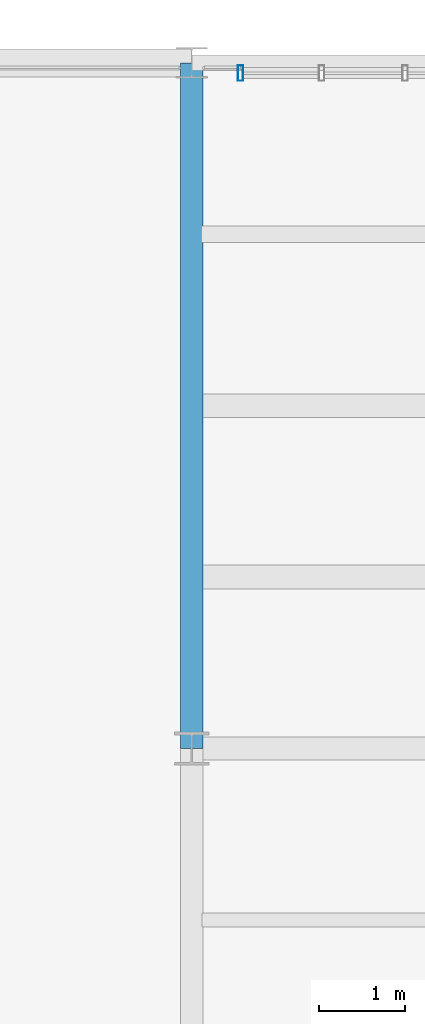
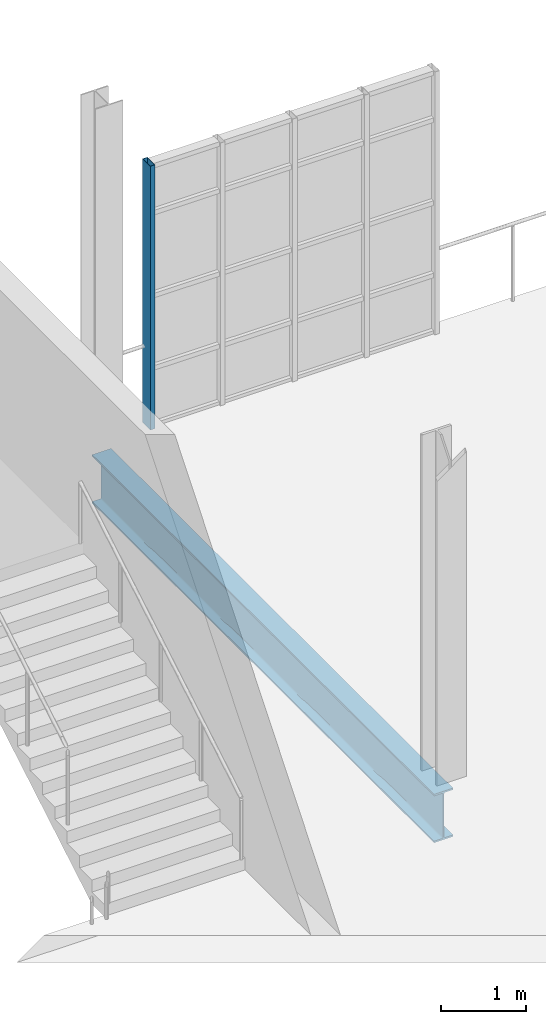
# One storey, part 63 of 118: 1 beam, 1 member, 1 element without a shape of its own.
"""IFC4 building model written with IfcOpenShell, lengths in metres."""

from ifc_helpers import new_model, si_unit, direction, frame, origin, origin_2d, place, context, subcontext, project, spatial, hollow_rectangle, i_section, extrude, material, layer, layer_set, material_profile, profile_set, type_object, element, aggregate, save


model = new_model("IFC4")

# Units and contexts
model_context = context("Model", 3, precision=1e-05, world=origin(), true_north=direction((0.0, 1.0)))
body_context = subcontext(model_context, "Body", "Model", "MODEL_VIEW")
ifc_project = project(units=[si_unit("LENGTHUNIT", "METRE"), si_unit("AREAUNIT", "SQUARE_METRE"), si_unit("VOLUMEUNIT", "CUBIC_METRE"), si_unit("PLANEANGLEUNIT", "RADIAN"), si_unit("MASSUNIT", "GRAM", prefix="KILO"), si_unit("THERMODYNAMICTEMPERATUREUNIT", "KELVIN"), si_unit("POWERUNIT", "WATT")], contexts=[model_context])

# Site, building, storey
site_placement = place(None, origin())
site = spatial("IfcSite", under=ifc_project, at=site_placement, CompositionType="ELEMENT")
building_placement = place(site_placement, origin())
building = spatial("IfcBuilding", under=site, at=building_placement, Name="Zelmaris Science Centre", CompositionType="ELEMENT")
storey_placement = place(building_placement, frame((0.0, 0.0, 15.60009765625)))
storey = spatial("IfcBuildingStorey", under=building, at=storey_placement, Name="L03", CompositionType="ELEMENT", Elevation=15.60009765625)

# Curtain wall, member
ifc_material_1 = material(Name="Anodised architectural aluminium 6063-T6", Category="aluminium")
ifc_layer = layer(ifc_material_1, 0.2099609375, Name="Anodised architectural aluminium 6063-T6")
ifc_layer_set = layer_set([ifc_layer], Name="Anodised architectural aluminium 6063-T6")
curtain_wall_type = type_object("IfcCurtainWallType", Name="Curtain Wall CW-03", PredefinedType="USERDEFINED", material=ifc_layer_set)
curtain_wall_placement = place(storey_placement, origin())
curtain_wall = element("IfcCurtainWall", 1, at=curtain_wall_placement, inside=storey, type_object=curtain_wall_type, Name="L03 Unitised curtain wall 283", ObjectType="GLAZED CURTAIN WALL", PredefinedType="USERDEFINED")
ifc_material_profile_1 = material_profile(ifc_material_1, hollow_rectangle(XDim=0.06494140625, YDim=0.179931640625, WallThickness=0.00390625, at=origin_2d()), Name="ALU-MUL-65X180")
ifc_profile_set_1 = profile_set([ifc_material_profile_1], Name="Anodised architectural aluminium 6063-T6")
member_type = type_object("IfcMemberType", Name="ALU-MUL-65X180", PredefinedType="MULLION", material=ifc_profile_set_1)
member_placement = place(storey_placement, frame((72.568603515625, 87.8798828125, -0.01513671875), z_axis=(0.0, 0.0, 1.0), x_axis=(1.0, 0.0, 0.0)))
member = element("IfcMember", 2, at=member_placement, type_object=member_type, Name="CW-03 mullion 1", PredefinedType="MULLION", context=body_context, shape_type="SweptSolid", body=[
    extrude(hollow_rectangle(XDim=0.06494140625, YDim=0.179931640625, WallThickness=0.00390625, at=origin_2d()), origin(), (0.0, 0.0, 1.0), 3.76806640625),
])
aggregate(curtain_wall, [member])

# Beam
ifc_material_2 = material(Name="Steel ASTM A992 Grade 50", Category="steel")
ifc_material_profile_2 = material_profile(ifc_material_2, i_section(OverallWidth=0.257080078125, OverallDepth=0.693115234375, WebThickness=0.014404296875, FlangeThickness=0.023681640625, FilletRadius=0.01806640625, at=origin_2d()), Name="W27X114")
ifc_profile_set_2 = profile_set([ifc_material_profile_2], Name="Steel ASTM A992 Grade 50")
beam_type = type_object("IfcBeamType", Name="Beam G-12 W27X114", PredefinedType="BEAM", material=ifc_profile_set_2)
beam_placement = place(storey_placement, frame((72.0, 80.0, -0.606689453125), z_axis=(0.0, 1.0, 0.0), x_axis=(-1.0, 0.0, 0.0)))
element("IfcBeam", 3, at=beam_placement, inside=storey, type_object=beam_type, Name="L03 North-south girder 688", PredefinedType="BEAM", context=body_context, shape_type="SweptSolid", body=[
    extrude(i_section(OverallWidth=0.257080078125, OverallDepth=0.693115234375, WebThickness=0.014404296875, FlangeThickness=0.023681640625, FilletRadius=0.01806640625, at=origin_2d()), origin(), (0.0, 0.0, 1.0), 8.0),
])

save(model, "model.ifc")
